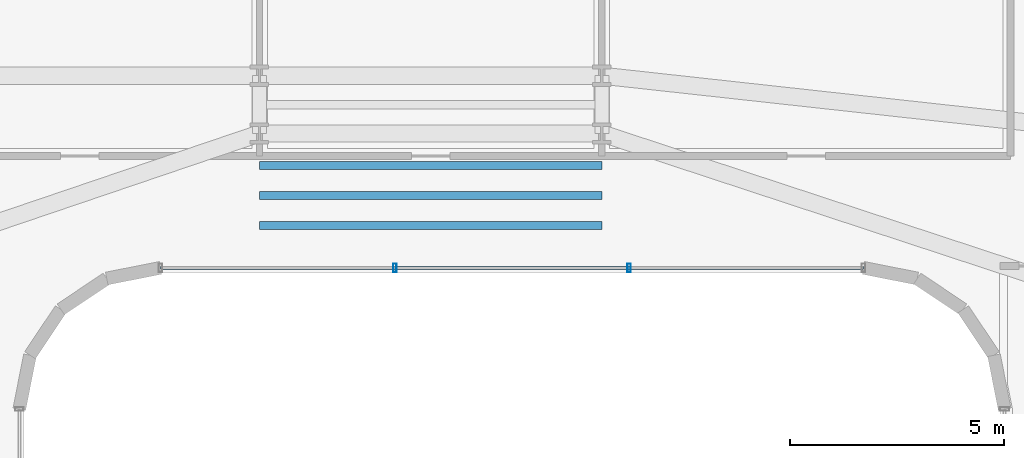
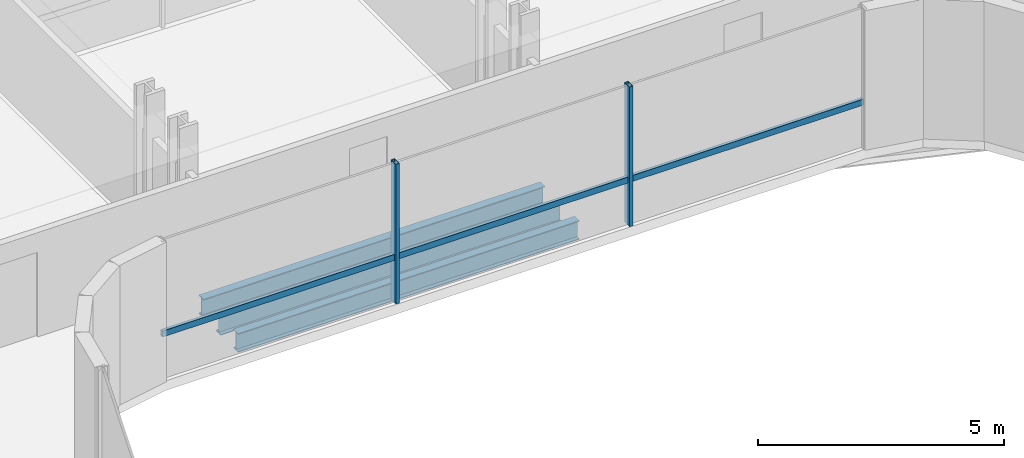
# One storey, part 14 of 38: 3 beams, 3 members, 1 element without a shape of its own.
"""IFC4 building model written with IfcOpenShell, lengths in metres."""

from ifc_helpers import new_model, si_unit, direction, frame, origin, origin_2d, place, context, subcontext, project, spatial, hollow_rectangle, i_section, extrude, source, transform, mapped, material, material_profile, profile_set, type_object, element, aggregate, save


model = new_model("IFC4")

# Units and contexts
model_context = context("Model", 3, precision=1e-05, world=origin(), true_north=direction((0.0, 1.0)))
body_context = subcontext(model_context, "Body", "Model", "MODEL_VIEW")
ifc_project = project(units=[si_unit("LENGTHUNIT", "METRE"), si_unit("AREAUNIT", "SQUARE_METRE"), si_unit("VOLUMEUNIT", "CUBIC_METRE"), si_unit("PLANEANGLEUNIT", "RADIAN"), si_unit("MASSUNIT", "GRAM", prefix="KILO")], contexts=[model_context])

# Site, building, storey
site_placement = place(None, origin())
site = spatial("IfcSite", under=ifc_project, at=site_placement, CompositionType="ELEMENT")
building_placement = place(site_placement, origin())
building = spatial("IfcBuilding", under=site, at=building_placement, Name="Valdorenza Pilgrim Sanctuary Tower", CompositionType="ELEMENT")
storey_placement = place(building_placement, frame((0.0, 0.0, 37.10009765625)))
storey = spatial("IfcBuildingStorey", under=building, at=storey_placement, Name="L08", CompositionType="ELEMENT", Elevation=37.10009765625)

# Beams
ifc_material_1 = material(Name="Steel ASTM A992 Grade 50", Category="steel")
ifc_material_profile_1 = material_profile(ifc_material_1, i_section(OverallWidth=0.193115234375, OverallDepth=0.466064453125, WebThickness=0.011474609375, FlangeThickness=0.01904296875, at=origin_2d()), Name="W18X65")
ifc_profile_set_1 = profile_set([ifc_material_profile_1], Name="Steel ASTM A992 Grade 50")
beam_type = type_object("IfcBeamType", Name="STR-BM-JST-W18A", PredefinedType="JOIST", material=ifc_profile_set_1)
shared_shape_1 = source(origin(), body_context, "Body", "SweptSolid", [
    extrude(i_section(OverallWidth=0.193115234375, OverallDepth=0.466064453125, WebThickness=0.011474609375, FlangeThickness=0.01904296875, at=origin_2d()), origin(), (0.0, 0.0, 1.0), 8.0),
])
for number, where, z_axis, x_axis, name in (
    (1, (-4.0, 11.300048828125, -0.47314453125), (1.0, 0.0, 0.0), (0.0, 1.0, 0.0), "L08 Knuckle Composite Joist JST-KNK-1"),
    (2, (-4.0, 12.0, -0.47314453125), (1.0, 0.0, 0.0), (0.0, 1.0, 0.0), "L08 Knuckle Composite Joist JST-KNK-2"),
    (3, (-4.0, 12.699951171875, -0.47314453125), (1.0, 0.0, 0.0), (0.0, 1.0, 0.0), "L08 Knuckle Composite Joist JST-KNK-3"),
):
    element("IfcBeam", number, at=place(storey_placement, frame(where, z_axis=z_axis, x_axis=x_axis)), inside=storey, type_object=beam_type, Name=name, PredefinedType="JOIST", context=body_context, shape_type="MappedRepresentation", body=[
        mapped(shared_shape_1, transform((0.0, 0.0, 0.0), x_axis=(1.0, 0.0, 0.0), y_axis=(0.0, 1.0, 0.0), z_axis=(0.0, 0.0, 1.0), scale=1.0)),
    ])

# Curtain wall, members
ifc_material_2 = material(Name="Curtain-wall IGU glazing", Category="glass")
curtain_wall_type = type_object("IfcCurtainWallType", Name="CW-SYS-02", PredefinedType="NOTDEFINED", material=ifc_material_2)
curtain_wall_placement = place(storey_placement, origin())
curtain_wall = element("IfcCurtainWall", 4, at=curtain_wall_placement, inside=storey, type_object=curtain_wall_type, Name="L08 Curtain Wall CW-L08-1-36", PredefinedType="NOTDEFINED")
ifc_material_3 = material(Name="Anodised aluminium AW-6060", Category="aluminium")
ifc_material_profile_2 = material_profile(ifc_material_3, hollow_rectangle(XDim=0.0849609375, YDim=0.199951171875, WallThickness=0.0048828125, at=origin_2d()), Name="ALU-M 200x85x5")
ifc_profile_set_2 = profile_set([ifc_material_profile_2], Name="Anodised aluminium AW-6060")
member_type_1 = type_object("IfcMemberType", Name="CW-MUL-02", PredefinedType="MULLION", material=ifc_profile_set_2)
shared_shape_2 = source(origin(), body_context, "Body", "SweptSolid", [
    extrude(hollow_rectangle(XDim=0.0849609375, YDim=0.199951171875, WallThickness=0.0048828125, at=origin_2d()), origin(), (0.0, 0.0, 1.0), 3.4599609375),
])
member_1_placement = place(storey_placement, frame((4.636962890625, 10.31005859375, 0.0), z_axis=(0.0, 0.0, 1.0), x_axis=(-1.0, 0.0, 0.0)))
member_1 = element("IfcMember", 5, at=member_1_placement, type_object=member_type_1, Name="CW-L08-1-36 Mullion 2", PredefinedType="MULLION", context=body_context, shape_type="MappedRepresentation", body=[
    mapped(shared_shape_2, transform((0.0, 0.0, 0.0), x_axis=(1.0, 0.0, 0.0), y_axis=(0.0, 1.0, 0.0), z_axis=(0.0, 0.0, 1.0), scale=1.0)),
])
member_2_placement = place(storey_placement, frame((-0.8369140625, 10.31005859375, 0.0), z_axis=(0.0, 0.0, 1.0), x_axis=(-1.0, 0.0, 0.0)))
member_2 = element("IfcMember", 6, at=member_2_placement, type_object=member_type_1, Name="CW-L08-1-36 Mullion 3", PredefinedType="MULLION", context=body_context, shape_type="MappedRepresentation", body=[
    mapped(shared_shape_2, transform((0.0, 0.0, 0.0), x_axis=(1.0, 0.0, 0.0), y_axis=(0.0, 1.0, 0.0), z_axis=(0.0, 0.0, 1.0), scale=1.0)),
])
ifc_material_profile_3 = material_profile(ifc_material_3, hollow_rectangle(XDim=0.074951171875, YDim=0.14990234375, WallThickness=0.00390625, at=origin_2d()), Name="ALU-T 150x75x4")
ifc_profile_set_3 = profile_set([ifc_material_profile_3], Name="Anodised aluminium AW-6060")
member_type_2 = type_object("IfcMemberType", Name="CW-TRN-02", PredefinedType="USERDEFINED", material=ifc_profile_set_3)
shared_shape_3 = source(origin(), body_context, "Body", "SweptSolid", [
    extrude(hollow_rectangle(XDim=0.074951171875, YDim=0.14990234375, WallThickness=0.00390625, at=origin_2d()), origin(), (0.0, 0.0, 1.0), 16.421630859375),
])
member_3_placement = place(storey_placement, frame((10.11083984375, 10.31005859375, 1.119873046875), z_axis=(-1.0, 0.0, 0.0), x_axis=(0.0, -1.0, 0.0)))
member_3 = element("IfcMember", 7, at=member_3_placement, type_object=member_type_2, Name="CW-L08-1-36 Transom 1", ObjectType="TRANSOM", PredefinedType="USERDEFINED", context=body_context, shape_type="MappedRepresentation", body=[
    mapped(shared_shape_3, transform((0.0, 0.0, 0.0), x_axis=(1.0, 0.0, 0.0), y_axis=(0.0, 1.0, 0.0), z_axis=(0.0, 0.0, 1.0), scale=1.0)),
])
aggregate(curtain_wall, [member_1, member_2, member_3])

save(model, "model.ifc")
